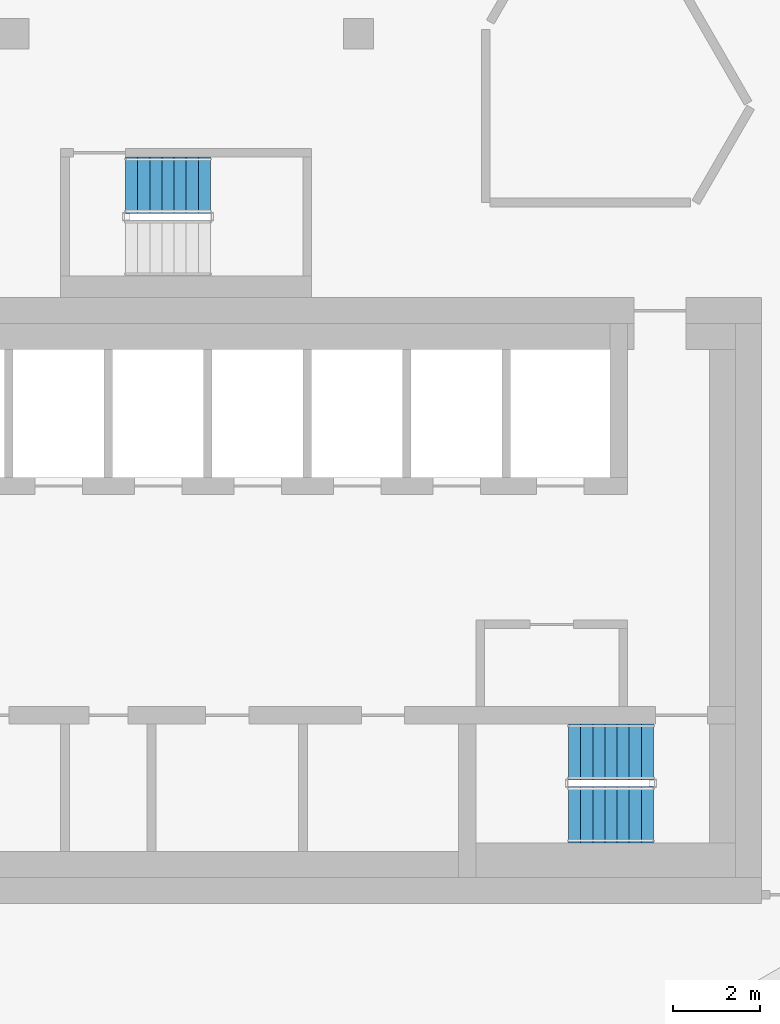
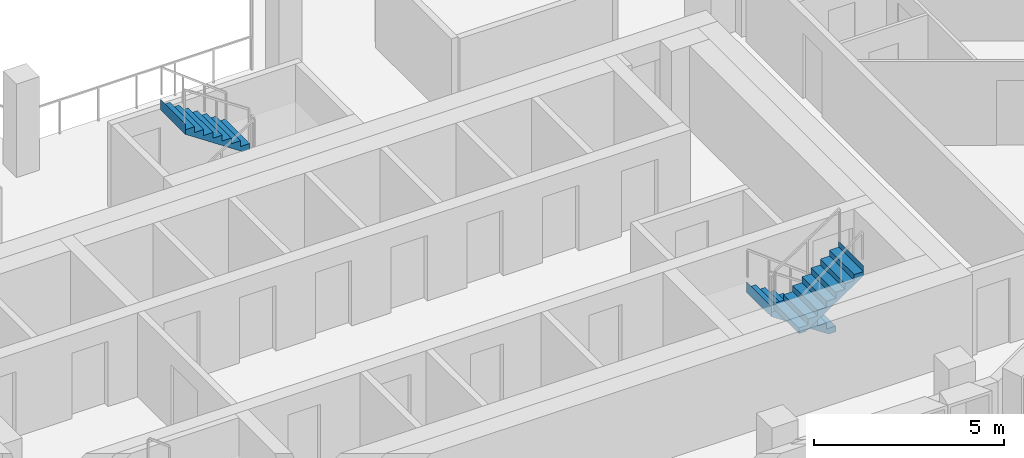
# One storey, part 10 of 15: 3 stair flights, 2 elements without a shape of their own.
"""IFC4 building model written with IfcOpenShell, lengths in metres."""

from ifc_helpers import new_model, si_unit, direction, frame, origin, place, context, subcontext, project, spatial, triangles, material, type_object, element, aggregate, save


model = new_model("IFC4")

# Units and contexts
model_context = context("Model", 3, precision=1e-05, world=origin(), true_north=direction((0.0, 1.0)))
body_context = subcontext(model_context, "Body", "Model", "MODEL_VIEW")
ifc_project = project(units=[si_unit("LENGTHUNIT", "METRE"), si_unit("AREAUNIT", "SQUARE_METRE"), si_unit("VOLUMEUNIT", "CUBIC_METRE"), si_unit("PLANEANGLEUNIT", "RADIAN"), si_unit("MASSUNIT", "GRAM", prefix="KILO")], contexts=[model_context])

# Site, building, storey
site_placement = place(None, origin())
site = spatial("IfcSite", under=ifc_project, at=site_placement, CompositionType="ELEMENT")
building_placement = place(site_placement, origin())
building = spatial("IfcBuilding", under=site, at=building_placement, Name="Beryl Residences", CompositionType="ELEMENT")
storey_placement = place(building_placement, frame((0.0, 0.0, 187.199951171875)))
storey = spatial("IfcBuildingStorey", under=building, at=storey_placement, Name="L57", CompositionType="ELEMENT", Elevation=187.199951171875)

# Stair, stair flights
ifc_material_1 = material(Name="Concrete C40/50", Category="concrete")
stair_type = type_object("IfcStairType", Name="ST1 protected exit stair, half-turn, 1300 mm flights", PredefinedType="HALF_TURN_STAIR", material=ifc_material_1)
stair_1_placement = place(storey_placement, origin())
stair_1 = element("IfcStair", 1, at=stair_1_placement, inside=storey, type_object=stair_type, Name="L57 PROTECTED EXIT STAIR ST-3", PredefinedType="HALF_TURN_STAIR")
ifc_material_2 = material(Name="Concrete C40/50", Category="concrete")
stair_flight_type = type_object("IfcStairFlightType", Name="SF1 stair flight 1300 mm", PredefinedType="STRAIGHT", material=ifc_material_2)
stair_flight_1_placement = place(storey_placement, frame((10.800048828125, -15.5, 0.0), z_axis=(0.0, 0.0, 1.0), x_axis=(-1.0, 0.0, 0.0)))
stair_flight_1 = element("IfcStairFlight", 2, at=stair_flight_1_placement, type_object=stair_flight_type, Name="ST-3 flight 1", NumberOfRisers=8, NumberOfTreads=7, PredefinedType="STRAIGHT", RiserHeight=0.1875, TreadLength=0.28, context=body_context, shape_type="Tessellation", body=[
    triangles([(0.0, -0.64990234375, 0.0), (0.0, -0.324951171875, 0.0), (0.0, 0.0, 0.0), (0.0, 0.324951171875, 0.0), (0.0, 0.64990234375, 0.0), (0.0, -0.64990234375, 0.1875), (0.0, -0.324951171875, 0.1875), (0.0, 0.0, 0.1875), (0.0, 0.324951171875, 0.1875), (0.0, 0.64990234375, 0.1875), (0.280029296875, -0.64990234375, 0.1875), (0.280029296875, -0.324951171875, 0.1875), (0.280029296875, 0.0, 0.1875), (0.280029296875, 0.324951171875, 0.1875), (0.280029296875, 0.64990234375, 0.1875), (0.280029296875, -0.64990234375, 0.375), (0.280029296875, -0.324951171875, 0.375), (0.280029296875, 0.0, 0.375), (0.280029296875, 0.324951171875, 0.375), (0.280029296875, 0.64990234375, 0.375), (0.56005859375, -0.64990234375, 0.375), (0.56005859375, -0.324951171875, 0.375), (0.56005859375, 0.0, 0.375), (0.56005859375, 0.324951171875, 0.375), (0.56005859375, 0.64990234375, 0.375), (0.56005859375, -0.64990234375, 0.5625), (0.56005859375, -0.324951171875, 0.5625), (0.56005859375, 0.0, 0.5625), (0.56005859375, 0.324951171875, 0.5625), (0.56005859375, 0.64990234375, 0.5625), (0.840087890625, -0.64990234375, 0.5625), (0.840087890625, -0.324951171875, 0.5625), (0.840087890625, 0.0, 0.5625), (0.840087890625, 0.324951171875, 0.5625), (0.840087890625, 0.64990234375, 0.5625), (0.840087890625, -0.64990234375, 0.75), (0.840087890625, -0.324951171875, 0.75), (0.840087890625, 0.0, 0.75), (0.840087890625, 0.324951171875, 0.75), (0.840087890625, 0.64990234375, 0.75), (1.1201171875, -0.64990234375, 0.75), (1.1201171875, -0.324951171875, 0.75), (1.1201171875, 0.0, 0.75), (1.1201171875, 0.324951171875, 0.75), (1.1201171875, 0.64990234375, 0.75), (1.1201171875, -0.64990234375, 0.9375), (1.1201171875, -0.324951171875, 0.9375), (1.1201171875, 0.0, 0.9375), (1.1201171875, 0.324951171875, 0.9375), (1.1201171875, 0.64990234375, 0.9375), (1.39990234375, -0.64990234375, 0.9375), (1.39990234375, -0.324951171875, 0.9375), (1.39990234375, 0.0, 0.9375), (1.39990234375, 0.324951171875, 0.9375), (1.39990234375, 0.64990234375, 0.9375), (1.39990234375, -0.64990234375, 1.125), (1.39990234375, -0.324951171875, 1.125), (1.39990234375, 0.0, 1.125), (1.39990234375, 0.324951171875, 1.125), (1.39990234375, 0.64990234375, 1.125), (1.679931640625, -0.64990234375, 1.125), (1.679931640625, -0.324951171875, 1.125), (1.679931640625, 0.0, 1.125), (1.679931640625, 0.324951171875, 1.125), (1.679931640625, 0.64990234375, 1.125), (1.679931640625, -0.64990234375, 1.3125), (1.679931640625, -0.324951171875, 1.3125), (1.679931640625, 0.0, 1.3125), (1.679931640625, 0.324951171875, 1.3125), (1.679931640625, 0.64990234375, 1.3125), (1.9599609375, -0.64990234375, 1.3125), (1.9599609375, -0.324951171875, 1.3125), (1.9599609375, 0.0, 1.3125), (1.9599609375, 0.324951171875, 1.3125), (1.9599609375, 0.64990234375, 1.3125), (1.9599609375, -0.64990234375, 1.5), (1.9599609375, -0.324951171875, 1.5), (1.9599609375, 0.0, 1.5), (1.9599609375, 0.324951171875, 1.5), (1.9599609375, 0.64990234375, 1.5), (1.9609375, -0.64990234375, 1.5), (1.9609375, -0.324951171875, 1.5), (1.9609375, 0.0, 1.5), (1.9609375, 0.324951171875, 1.5), (1.9609375, 0.64990234375, 1.5), (1.9609375, -0.64990234375, 1.16796875), (1.9609375, -0.324951171875, 1.16796875), (1.9609375, 0.0, 1.16796875), (1.9609375, 0.324951171875, 1.16796875), (1.9609375, 0.64990234375, 1.16796875), (0.216796875, -0.64990234375, 0.0), (0.216796875, -0.324951171875, 0.0), (0.216796875, 0.0, 0.0), (0.216796875, 0.324951171875, 0.0), (0.216796875, 0.64990234375, 0.0)], [[1, 6, 7], [1, 7, 2], [2, 7, 8], [2, 8, 3], [3, 8, 9], [3, 9, 4], [4, 9, 10], [4, 10, 5], [6, 11, 12], [6, 12, 7], [7, 12, 13], [7, 13, 8], [8, 13, 14], [8, 14, 9], [9, 14, 15], [9, 15, 10], [11, 16, 17], [11, 17, 12], [12, 17, 18], [12, 18, 13], [13, 18, 19], [13, 19, 14], [14, 19, 20], [14, 20, 15], [16, 21, 22], [16, 22, 17], [17, 22, 23], [17, 23, 18], [18, 23, 24], [18, 24, 19], [19, 24, 25], [19, 25, 20], [21, 26, 27], [21, 27, 22], [22, 27, 28], [22, 28, 23], [23, 28, 29], [23, 29, 24], [24, 29, 30], [24, 30, 25], [26, 31, 32], [26, 32, 27], [27, 32, 33], [27, 33, 28], [28, 33, 34], [28, 34, 29], [29, 34, 35], [29, 35, 30], [31, 36, 37], [31, 37, 32], [32, 37, 38], [32, 38, 33], [33, 38, 39], [33, 39, 34], [34, 39, 40], [34, 40, 35], [36, 41, 42], [36, 42, 37], [37, 42, 43], [37, 43, 38], [38, 43, 44], [38, 44, 39], [39, 44, 45], [39, 45, 40], [41, 46, 47], [41, 47, 42], [42, 47, 48], [42, 48, 43], [43, 48, 49], [43, 49, 44], [44, 49, 50], [44, 50, 45], [46, 51, 52], [46, 52, 47], [47, 52, 53], [47, 53, 48], [48, 53, 54], [48, 54, 49], [49, 54, 55], [49, 55, 50], [51, 56, 57], [51, 57, 52], [52, 57, 58], [52, 58, 53], [53, 58, 59], [53, 59, 54], [54, 59, 60], [54, 60, 55], [56, 61, 62], [56, 62, 57], [57, 62, 63], [57, 63, 58], [58, 63, 64], [58, 64, 59], [59, 64, 65], [59, 65, 60], [61, 66, 67], [61, 67, 62], [62, 67, 68], [62, 68, 63], [63, 68, 69], [63, 69, 64], [64, 69, 70], [64, 70, 65], [66, 71, 72], [66, 72, 67], [67, 72, 73], [67, 73, 68], [68, 73, 74], [68, 74, 69], [69, 74, 75], [69, 75, 70], [71, 76, 77], [71, 77, 72], [72, 77, 78], [72, 78, 73], [73, 78, 79], [73, 79, 74], [74, 79, 80], [74, 80, 75], [76, 81, 82], [76, 82, 77], [77, 82, 83], [77, 83, 78], [78, 83, 84], [78, 84, 79], [79, 84, 85], [79, 85, 80], [81, 86, 87], [81, 87, 82], [82, 87, 88], [82, 88, 83], [83, 88, 89], [83, 89, 84], [84, 89, 90], [84, 90, 85], [86, 91, 92], [86, 92, 87], [87, 92, 93], [87, 93, 88], [88, 93, 94], [88, 94, 89], [89, 94, 95], [89, 95, 90], [91, 1, 2], [91, 2, 92], [92, 2, 3], [92, 3, 93], [93, 3, 4], [93, 4, 94], [94, 4, 5], [94, 5, 95], [1, 91, 86], [5, 90, 95], [86, 81, 76], [90, 80, 85], [86, 76, 71], [90, 75, 80], [86, 71, 66], [90, 70, 75], [86, 66, 61], [90, 65, 70], [61, 56, 51], [65, 55, 60], [86, 61, 51], [90, 55, 65], [51, 46, 41], [55, 45, 50], [86, 51, 41], [90, 45, 55], [41, 36, 31], [45, 35, 40], [86, 41, 31], [90, 35, 45], [31, 26, 21], [35, 25, 30], [86, 31, 21], [90, 25, 35], [21, 16, 11], [25, 15, 20], [86, 21, 11], [90, 15, 25], [1, 86, 11], [5, 15, 90], [11, 6, 1], [15, 5, 10]], closed=True),
])
stair_flight_2_placement = place(storey_placement, frame((8.840087890625, -16.949951171875, 1.5), z_axis=(0.0, 0.0, 1.0), x_axis=(1.0, 0.0, 0.0)))
stair_flight_2 = element("IfcStairFlight", 3, at=stair_flight_2_placement, type_object=stair_flight_type, Name="ST-3 flight 2", NumberOfRisers=8, NumberOfTreads=7, PredefinedType="STRAIGHT", RiserHeight=0.1875, TreadLength=0.28, context=body_context, shape_type="Tessellation", body=[
    triangles([(0.0, -0.64990234375, 0.0), (0.0, -0.324951171875, 0.0), (0.0, 0.0, 0.0), (0.0, 0.324951171875, 0.0), (0.0, 0.64990234375, 0.0), (0.0, -0.64990234375, 0.1875), (0.0, -0.324951171875, 0.1875), (0.0, 0.0, 0.1875), (0.0, 0.324951171875, 0.1875), (0.0, 0.64990234375, 0.1875), (0.280029296875, -0.64990234375, 0.1875), (0.280029296875, -0.324951171875, 0.1875), (0.280029296875, 0.0, 0.1875), (0.280029296875, 0.324951171875, 0.1875), (0.280029296875, 0.64990234375, 0.1875), (0.280029296875, -0.64990234375, 0.375), (0.280029296875, -0.324951171875, 0.375), (0.280029296875, 0.0, 0.375), (0.280029296875, 0.324951171875, 0.375), (0.280029296875, 0.64990234375, 0.375), (0.56005859375, -0.64990234375, 0.375), (0.56005859375, -0.324951171875, 0.375), (0.56005859375, 0.0, 0.375), (0.56005859375, 0.324951171875, 0.375), (0.56005859375, 0.64990234375, 0.375), (0.56005859375, -0.64990234375, 0.5625), (0.56005859375, -0.324951171875, 0.5625), (0.56005859375, 0.0, 0.5625), (0.56005859375, 0.324951171875, 0.5625), (0.56005859375, 0.64990234375, 0.5625), (0.840087890625, -0.64990234375, 0.5625), (0.840087890625, -0.324951171875, 0.5625), (0.840087890625, 0.0, 0.5625), (0.840087890625, 0.324951171875, 0.5625), (0.840087890625, 0.64990234375, 0.5625), (0.840087890625, -0.64990234375, 0.75), (0.840087890625, -0.324951171875, 0.75), (0.840087890625, 0.0, 0.75), (0.840087890625, 0.324951171875, 0.75), (0.840087890625, 0.64990234375, 0.75), (1.1201171875, -0.64990234375, 0.75), (1.1201171875, -0.324951171875, 0.75), (1.1201171875, 0.0, 0.75), (1.1201171875, 0.324951171875, 0.75), (1.1201171875, 0.64990234375, 0.75), (1.1201171875, -0.64990234375, 0.9375), (1.1201171875, -0.324951171875, 0.9375), (1.1201171875, 0.0, 0.9375), (1.1201171875, 0.324951171875, 0.9375), (1.1201171875, 0.64990234375, 0.9375), (1.39990234375, -0.64990234375, 0.9375), (1.39990234375, -0.324951171875, 0.9375), (1.39990234375, 0.0, 0.9375), (1.39990234375, 0.324951171875, 0.9375), (1.39990234375, 0.64990234375, 0.9375), (1.39990234375, -0.64990234375, 1.125), (1.39990234375, -0.324951171875, 1.125), (1.39990234375, 0.0, 1.125), (1.39990234375, 0.324951171875, 1.125), (1.39990234375, 0.64990234375, 1.125), (1.679931640625, -0.64990234375, 1.125), (1.679931640625, -0.324951171875, 1.125), (1.679931640625, 0.0, 1.125), (1.679931640625, 0.324951171875, 1.125), (1.679931640625, 0.64990234375, 1.125), (1.679931640625, -0.64990234375, 1.3125), (1.679931640625, -0.324951171875, 1.3125), (1.679931640625, 0.0, 1.3125), (1.679931640625, 0.324951171875, 1.3125), (1.679931640625, 0.64990234375, 1.3125), (1.9599609375, -0.64990234375, 1.3125), (1.9599609375, -0.324951171875, 1.3125), (1.9599609375, 0.0, 1.3125), (1.9599609375, 0.324951171875, 1.3125), (1.9599609375, 0.64990234375, 1.3125), (1.9599609375, -0.64990234375, 1.5), (1.9599609375, -0.324951171875, 1.5), (1.9599609375, 0.0, 1.5), (1.9599609375, 0.324951171875, 1.5), (1.9599609375, 0.64990234375, 1.5), (1.9609375, -0.64990234375, 1.5), (1.9609375, -0.324951171875, 1.5), (1.9609375, 0.0, 1.5), (1.9609375, 0.324951171875, 1.5), (1.9609375, 0.64990234375, 1.5), (1.9609375, -0.64990234375, 1.16796875), (1.9609375, -0.324951171875, 1.16796875), (1.9609375, 0.0, 1.16796875), (1.9609375, 0.324951171875, 1.16796875), (1.9609375, 0.64990234375, 1.16796875), (0.216796875, -0.64990234375, 0.0), (0.216796875, -0.324951171875, 0.0), (0.216796875, 0.0, 0.0), (0.216796875, 0.324951171875, 0.0), (0.216796875, 0.64990234375, 0.0)], [[1, 6, 7], [1, 7, 2], [2, 7, 8], [2, 8, 3], [3, 8, 9], [3, 9, 4], [4, 9, 10], [4, 10, 5], [6, 11, 12], [6, 12, 7], [7, 12, 13], [7, 13, 8], [8, 13, 14], [8, 14, 9], [9, 14, 15], [9, 15, 10], [11, 16, 17], [11, 17, 12], [12, 17, 18], [12, 18, 13], [13, 18, 19], [13, 19, 14], [14, 19, 20], [14, 20, 15], [16, 21, 22], [16, 22, 17], [17, 22, 23], [17, 23, 18], [18, 23, 24], [18, 24, 19], [19, 24, 25], [19, 25, 20], [21, 26, 27], [21, 27, 22], [22, 27, 28], [22, 28, 23], [23, 28, 29], [23, 29, 24], [24, 29, 30], [24, 30, 25], [26, 31, 32], [26, 32, 27], [27, 32, 33], [27, 33, 28], [28, 33, 34], [28, 34, 29], [29, 34, 35], [29, 35, 30], [31, 36, 37], [31, 37, 32], [32, 37, 38], [32, 38, 33], [33, 38, 39], [33, 39, 34], [34, 39, 40], [34, 40, 35], [36, 41, 42], [36, 42, 37], [37, 42, 43], [37, 43, 38], [38, 43, 44], [38, 44, 39], [39, 44, 45], [39, 45, 40], [41, 46, 47], [41, 47, 42], [42, 47, 48], [42, 48, 43], [43, 48, 49], [43, 49, 44], [44, 49, 50], [44, 50, 45], [46, 51, 52], [46, 52, 47], [47, 52, 53], [47, 53, 48], [48, 53, 54], [48, 54, 49], [49, 54, 55], [49, 55, 50], [51, 56, 57], [51, 57, 52], [52, 57, 58], [52, 58, 53], [53, 58, 59], [53, 59, 54], [54, 59, 60], [54, 60, 55], [56, 61, 62], [56, 62, 57], [57, 62, 63], [57, 63, 58], [58, 63, 64], [58, 64, 59], [59, 64, 65], [59, 65, 60], [61, 66, 67], [61, 67, 62], [62, 67, 68], [62, 68, 63], [63, 68, 69], [63, 69, 64], [64, 69, 70], [64, 70, 65], [66, 71, 72], [66, 72, 67], [67, 72, 73], [67, 73, 68], [68, 73, 74], [68, 74, 69], [69, 74, 75], [69, 75, 70], [71, 76, 77], [71, 77, 72], [72, 77, 78], [72, 78, 73], [73, 78, 79], [73, 79, 74], [74, 79, 80], [74, 80, 75], [76, 81, 82], [76, 82, 77], [77, 82, 83], [77, 83, 78], [78, 83, 84], [78, 84, 79], [79, 84, 85], [79, 85, 80], [81, 86, 87], [81, 87, 82], [82, 87, 88], [82, 88, 83], [83, 88, 89], [83, 89, 84], [84, 89, 90], [84, 90, 85], [86, 91, 92], [86, 92, 87], [87, 92, 93], [87, 93, 88], [88, 93, 94], [88, 94, 89], [89, 94, 95], [89, 95, 90], [91, 1, 2], [91, 2, 92], [92, 2, 3], [92, 3, 93], [93, 3, 4], [93, 4, 94], [94, 4, 5], [94, 5, 95], [1, 91, 86], [5, 90, 95], [86, 81, 76], [90, 80, 85], [86, 76, 71], [90, 75, 80], [86, 71, 66], [90, 70, 75], [86, 66, 61], [90, 65, 70], [61, 56, 51], [65, 55, 60], [86, 61, 51], [90, 55, 65], [51, 46, 41], [55, 45, 50], [86, 51, 41], [90, 45, 55], [41, 36, 31], [45, 35, 40], [86, 41, 31], [90, 35, 45], [31, 26, 21], [35, 25, 30], [86, 31, 21], [90, 25, 35], [21, 16, 11], [25, 15, 20], [86, 21, 11], [90, 15, 25], [1, 86, 11], [5, 15, 90], [11, 6, 1], [15, 5, 10]], closed=True),
])
aggregate(stair_1, [stair_flight_1, stair_flight_2])

# Stair, stair flight
stair_2_placement = place(storey_placement, origin())
stair_2 = element("IfcStair", 4, at=stair_2_placement, inside=storey, type_object=stair_type, Name="L57 PROTECTED EXIT STAIR ST-4", PredefinedType="HALF_TURN_STAIR")
stair_flight_3_placement = place(storey_placement, frame((0.56005859375, -2.39990234375, 1.5), z_axis=(0.0, 0.0, 1.0), x_axis=(-1.0, 0.0, 0.0)))
stair_flight_3 = element("IfcStairFlight", 5, at=stair_flight_3_placement, type_object=stair_flight_type, Name="ST-4 flight 2", NumberOfRisers=8, NumberOfTreads=7, PredefinedType="STRAIGHT", RiserHeight=0.1875, TreadLength=0.28, context=body_context, shape_type="Tessellation", body=[
    triangles([(0.0, -0.64990234375, 0.0), (0.0, -0.324951171875, 0.0), (0.0, 0.0, 0.0), (0.0, 0.324951171875, 0.0), (0.0, 0.64990234375, 0.0), (0.0, -0.64990234375, 0.1875), (0.0, -0.324951171875, 0.1875), (0.0, 0.0, 0.1875), (0.0, 0.324951171875, 0.1875), (0.0, 0.64990234375, 0.1875), (0.280029296875, -0.64990234375, 0.1875), (0.280029296875, -0.324951171875, 0.1875), (0.280029296875, 0.0, 0.1875), (0.280029296875, 0.324951171875, 0.1875), (0.280029296875, 0.64990234375, 0.1875), (0.280029296875, -0.64990234375, 0.375), (0.280029296875, -0.324951171875, 0.375), (0.280029296875, 0.0, 0.375), (0.280029296875, 0.324951171875, 0.375), (0.280029296875, 0.64990234375, 0.375), (0.56005859375, -0.64990234375, 0.375), (0.56005859375, -0.324951171875, 0.375), (0.56005859375, 0.0, 0.375), (0.56005859375, 0.324951171875, 0.375), (0.56005859375, 0.64990234375, 0.375), (0.56005859375, -0.64990234375, 0.5625), (0.56005859375, -0.324951171875, 0.5625), (0.56005859375, 0.0, 0.5625), (0.56005859375, 0.324951171875, 0.5625), (0.56005859375, 0.64990234375, 0.5625), (0.840087890625, -0.64990234375, 0.5625), (0.840087890625, -0.324951171875, 0.5625), (0.840087890625, 0.0, 0.5625), (0.840087890625, 0.324951171875, 0.5625), (0.840087890625, 0.64990234375, 0.5625), (0.840087890625, -0.64990234375, 0.75), (0.840087890625, -0.324951171875, 0.75), (0.840087890625, 0.0, 0.75), (0.840087890625, 0.324951171875, 0.75), (0.840087890625, 0.64990234375, 0.75), (1.1201171875, -0.64990234375, 0.75), (1.1201171875, -0.324951171875, 0.75), (1.1201171875, 0.0, 0.75), (1.1201171875, 0.324951171875, 0.75), (1.1201171875, 0.64990234375, 0.75), (1.1201171875, -0.64990234375, 0.9375), (1.1201171875, -0.324951171875, 0.9375), (1.1201171875, 0.0, 0.9375), (1.1201171875, 0.324951171875, 0.9375), (1.1201171875, 0.64990234375, 0.9375), (1.39990234375, -0.64990234375, 0.9375), (1.39990234375, -0.324951171875, 0.9375), (1.39990234375, 0.0, 0.9375), (1.39990234375, 0.324951171875, 0.9375), (1.39990234375, 0.64990234375, 0.9375), (1.39990234375, -0.64990234375, 1.125), (1.39990234375, -0.324951171875, 1.125), (1.39990234375, 0.0, 1.125), (1.39990234375, 0.324951171875, 1.125), (1.39990234375, 0.64990234375, 1.125), (1.679931640625, -0.64990234375, 1.125), (1.679931640625, -0.324951171875, 1.125), (1.679931640625, 0.0, 1.125), (1.679931640625, 0.324951171875, 1.125), (1.679931640625, 0.64990234375, 1.125), (1.679931640625, -0.64990234375, 1.3125), (1.679931640625, -0.324951171875, 1.3125), (1.679931640625, 0.0, 1.3125), (1.679931640625, 0.324951171875, 1.3125), (1.679931640625, 0.64990234375, 1.3125), (1.9599609375, -0.64990234375, 1.3125), (1.9599609375, -0.324951171875, 1.3125), (1.9599609375, 0.0, 1.3125), (1.9599609375, 0.324951171875, 1.3125), (1.9599609375, 0.64990234375, 1.3125), (1.9599609375, -0.64990234375, 1.5), (1.9599609375, -0.324951171875, 1.5), (1.9599609375, 0.0, 1.5), (1.9599609375, 0.324951171875, 1.5), (1.9599609375, 0.64990234375, 1.5), (1.9609375, -0.64990234375, 1.5), (1.9609375, -0.324951171875, 1.5), (1.9609375, 0.0, 1.5), (1.9609375, 0.324951171875, 1.5), (1.9609375, 0.64990234375, 1.5), (1.9609375, -0.64990234375, 1.16796875), (1.9609375, -0.324951171875, 1.16796875), (1.9609375, 0.0, 1.16796875), (1.9609375, 0.324951171875, 1.16796875), (1.9609375, 0.64990234375, 1.16796875), (0.216796875, -0.64990234375, 0.0), (0.216796875, -0.324951171875, 0.0), (0.216796875, 0.0, 0.0), (0.216796875, 0.324951171875, 0.0), (0.216796875, 0.64990234375, 0.0)], [[1, 6, 7], [1, 7, 2], [2, 7, 8], [2, 8, 3], [3, 8, 9], [3, 9, 4], [4, 9, 10], [4, 10, 5], [6, 11, 12], [6, 12, 7], [7, 12, 13], [7, 13, 8], [8, 13, 14], [8, 14, 9], [9, 14, 15], [9, 15, 10], [11, 16, 17], [11, 17, 12], [12, 17, 18], [12, 18, 13], [13, 18, 19], [13, 19, 14], [14, 19, 20], [14, 20, 15], [16, 21, 22], [16, 22, 17], [17, 22, 23], [17, 23, 18], [18, 23, 24], [18, 24, 19], [19, 24, 25], [19, 25, 20], [21, 26, 27], [21, 27, 22], [22, 27, 28], [22, 28, 23], [23, 28, 29], [23, 29, 24], [24, 29, 30], [24, 30, 25], [26, 31, 32], [26, 32, 27], [27, 32, 33], [27, 33, 28], [28, 33, 34], [28, 34, 29], [29, 34, 35], [29, 35, 30], [31, 36, 37], [31, 37, 32], [32, 37, 38], [32, 38, 33], [33, 38, 39], [33, 39, 34], [34, 39, 40], [34, 40, 35], [36, 41, 42], [36, 42, 37], [37, 42, 43], [37, 43, 38], [38, 43, 44], [38, 44, 39], [39, 44, 45], [39, 45, 40], [41, 46, 47], [41, 47, 42], [42, 47, 48], [42, 48, 43], [43, 48, 49], [43, 49, 44], [44, 49, 50], [44, 50, 45], [46, 51, 52], [46, 52, 47], [47, 52, 53], [47, 53, 48], [48, 53, 54], [48, 54, 49], [49, 54, 55], [49, 55, 50], [51, 56, 57], [51, 57, 52], [52, 57, 58], [52, 58, 53], [53, 58, 59], [53, 59, 54], [54, 59, 60], [54, 60, 55], [56, 61, 62], [56, 62, 57], [57, 62, 63], [57, 63, 58], [58, 63, 64], [58, 64, 59], [59, 64, 65], [59, 65, 60], [61, 66, 67], [61, 67, 62], [62, 67, 68], [62, 68, 63], [63, 68, 69], [63, 69, 64], [64, 69, 70], [64, 70, 65], [66, 71, 72], [66, 72, 67], [67, 72, 73], [67, 73, 68], [68, 73, 74], [68, 74, 69], [69, 74, 75], [69, 75, 70], [71, 76, 77], [71, 77, 72], [72, 77, 78], [72, 78, 73], [73, 78, 79], [73, 79, 74], [74, 79, 80], [74, 80, 75], [76, 81, 82], [76, 82, 77], [77, 82, 83], [77, 83, 78], [78, 83, 84], [78, 84, 79], [79, 84, 85], [79, 85, 80], [81, 86, 87], [81, 87, 82], [82, 87, 88], [82, 88, 83], [83, 88, 89], [83, 89, 84], [84, 89, 90], [84, 90, 85], [86, 91, 92], [86, 92, 87], [87, 92, 93], [87, 93, 88], [88, 93, 94], [88, 94, 89], [89, 94, 95], [89, 95, 90], [91, 1, 2], [91, 2, 92], [92, 2, 3], [92, 3, 93], [93, 3, 4], [93, 4, 94], [94, 4, 5], [94, 5, 95], [1, 91, 86], [5, 90, 95], [86, 81, 76], [90, 80, 85], [86, 76, 71], [90, 75, 80], [86, 71, 66], [90, 70, 75], [86, 66, 61], [90, 65, 70], [61, 56, 51], [65, 55, 60], [86, 61, 51], [90, 55, 65], [51, 46, 41], [55, 45, 50], [86, 51, 41], [90, 45, 55], [41, 36, 31], [45, 35, 40], [86, 41, 31], [90, 35, 45], [31, 26, 21], [35, 25, 30], [86, 31, 21], [90, 25, 35], [21, 16, 11], [25, 15, 20], [86, 21, 11], [90, 15, 25], [1, 86, 11], [5, 15, 90], [11, 6, 1], [15, 5, 10]], closed=True),
])
aggregate(stair_2, [stair_flight_3])

save(model, "model.ifc")
